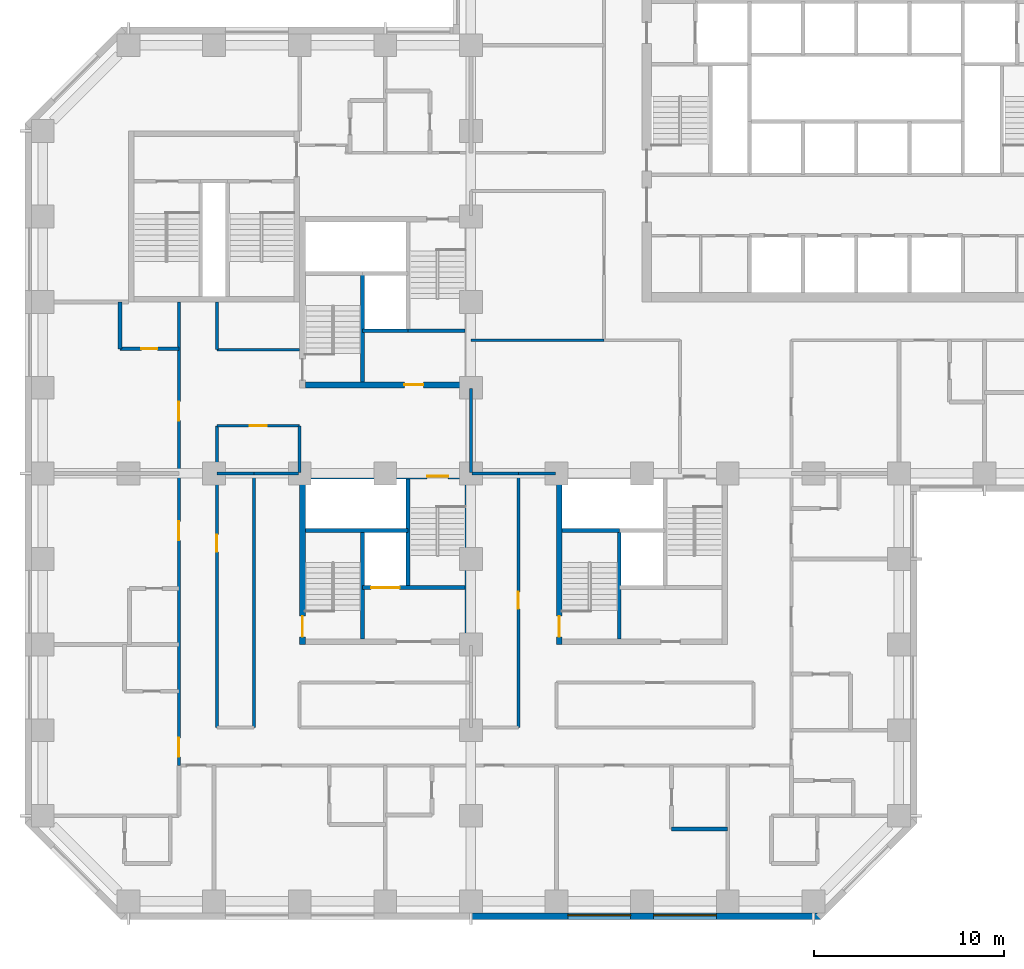
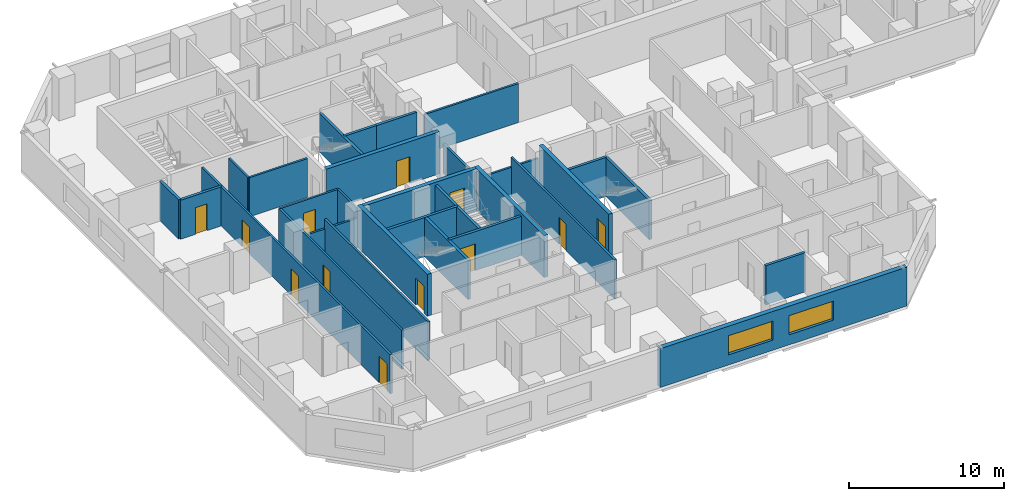
# One storey, part 4 of 13: 32 walls, 12 doors, 2 windows, 14 openings.
"""IFC4 building model written with IfcOpenShell, lengths in metres."""

from ifc_helpers import new_model, si_unit, direction, frame, frame_2d, origin, place, context, subcontext, project, spatial, rectangle, extrude, material, layer, layer_set, constituent, constituent_set, type_object, element, fill, save


model = new_model("IFC4")

# Units and contexts
model_context = context("Model", 3, precision=1e-05, world=origin(), true_north=direction((0.0, 1.0)))
body_context = subcontext(model_context, "Body", "Model", "MODEL_VIEW")
ifc_project = project(units=[si_unit("LENGTHUNIT", "METRE"), si_unit("AREAUNIT", "SQUARE_METRE"), si_unit("VOLUMEUNIT", "CUBIC_METRE"), si_unit("PLANEANGLEUNIT", "RADIAN"), si_unit("MASSUNIT", "GRAM", prefix="KILO")], contexts=[model_context])

# Site, building, storey
site_placement = place(None, origin())
site = spatial("IfcSite", under=ifc_project, at=site_placement, CompositionType="ELEMENT")
building_placement = place(site_placement, origin())
building = spatial("IfcBuilding", under=site, at=building_placement, Name="Quoin Convention Tower", CompositionType="ELEMENT")
storey_placement = place(building_placement, frame((0.0, 0.0, 62.699951171875)))
storey = spatial("IfcBuildingStorey", under=building, at=storey_placement, Name="L16", CompositionType="ELEMENT", Elevation=62.699951171875)

# Wall, openings, windows
ifc_material_1 = material(Name="Brick masonry", Category="masonry")
ifc_layer_1 = layer(ifc_material_1, 0.35009765625)
ifc_layer_set_1 = layer_set([ifc_layer_1], Name="Brick masonry")
wall_type_1 = type_object("IfcWallType", Name="Brick facade wall", PredefinedType="STANDARD", material=ifc_layer_set_1)
wall_1_placement = place(storey_placement, frame((36.0, 17.22509765625, 0.0), z_axis=(0.0, 0.0, 1.0), x_axis=(1.0, 0.0, 0.0)))
wall_1 = element("IfcWall", 1, at=wall_1_placement, inside=storey, type_object=wall_type_1, Name="fw-L16-36000_18000", PredefinedType="STANDARD", context=body_context, shape_type="SweptSolid", body=[
    extrude(rectangle(XDim=18.3935546875, YDim=0.35009765625, at=frame_2d((9.19677734375, 0.0))), origin(), (0.0, 0.0, 1.0), 3.054931640625),
])
opening_1_placement = place(wall_1_placement, frame((5.10009765625, 0.0, 0.800048828125)))
opening_1 = element("IfcOpeningElement", 2, at=opening_1_placement, cuts=wall_1, Name="Opening W-01", PredefinedType="OPENING", context=body_context, shape_type="SweptSolid", body=[
    extrude(rectangle(XDim=3.300048828125, YDim=1.5, at=frame_2d((1.64990234375, 0.75))), frame((0.0, 0.18505859375, 0.0), z_axis=(0.0, -1.0, 0.0), x_axis=(1.0, 0.0, 0.0)), (0.0, 0.0, 1.0), 0.3701171875),
])
opening_2_placement = place(wall_1_placement, frame((9.60009765625, 0.0, 0.800048828125)))
opening_2 = element("IfcOpeningElement", 3, at=opening_2_placement, cuts=wall_1, Name="Opening W-01", PredefinedType="OPENING", context=body_context, shape_type="SweptSolid", body=[
    extrude(rectangle(XDim=3.300048828125, YDim=1.5, at=frame_2d((1.64990234375, 0.75))), frame((0.0, 0.18505859375, 0.0), z_axis=(0.0, -1.0, 0.0), x_axis=(1.0, 0.0, 0.0)), (0.0, 0.0, 1.0), 0.3701171875),
])
ifc_material_2 = material(Name="Aluminium", Category="aluminium")
ifc_constituent_1 = constituent(ifc_material_2, Name="Frame")
ifc_material_3 = material(Name="Insulated glass", Category="glass")
ifc_constituent_2 = constituent(ifc_material_3, Name="Glazing")
ifc_constituent_set = constituent_set(constituents=[ifc_constituent_1, ifc_constituent_2], Name="Aluminium")
window_type = type_object("IfcWindowType", Name="Hotel strip window", PartitioningType="DOUBLE_PANEL_VERTICAL", PredefinedType="WINDOW", material=ifc_constituent_set)
window_1_placement = place(opening_1_placement, origin())
window_1 = element("IfcWindow", 4, at=window_1_placement, inside=storey, type_object=window_type, Name="win-L16-42750_17225", OverallHeight=1.5, OverallWidth=3.300048828125, PartitioningType="SINGLE_PANEL", PredefinedType="WINDOW", context=body_context, shape_type="SweptSolid", body=[
    extrude(rectangle(XDim=3.300048828125, YDim=1.5, at=frame_2d((1.64990234375, 0.75))), frame((0.0, 0.0849609375, 0.0), z_axis=(0.0, -1.0, 0.0), x_axis=(1.0, 0.0, 0.0)), (0.0, 0.0, 1.0), 0.06005859375),
])
fill(opening_1, window_1)
window_2_placement = place(opening_2_placement, origin())
window_2 = element("IfcWindow", 5, at=window_2_placement, inside=storey, type_object=window_type, Name="win-L16-47250_17225", OverallHeight=1.5, OverallWidth=3.300048828125, PartitioningType="SINGLE_PANEL", PredefinedType="WINDOW", context=body_context, shape_type="SweptSolid", body=[
    extrude(rectangle(XDim=3.300048828125, YDim=1.5, at=frame_2d((1.64990234375, 0.75))), frame((0.0, 0.0849609375, 0.0), z_axis=(0.0, -1.0, 0.0), x_axis=(1.0, 0.0, 0.0)), (0.0, 0.0, 1.0), 0.06005859375),
])
fill(opening_2, window_2)

# Walls
ifc_material_4 = material(Name="Concrete C50", Category="concrete")
ifc_layer_2 = layer(ifc_material_4, 0.199951171875)
ifc_layer_set_2 = layer_set([ifc_layer_2], Name="Concrete C50")
wall_type_2 = type_object("IfcWallType", Name="Core shaft wall", PredefinedType="SOLIDWALL", material=ifc_layer_set_2)
wall_2_placement = place(storey_placement, frame((30.300048828125, 48.0, 0.0), z_axis=(0.0, 0.0, 1.0), x_axis=(1.0, 0.0, 0.0)))
element("IfcWall", 6, at=wall_2_placement, inside=storey, type_object=wall_type_2, Name="cr-P2-L16-h3000_3300", PredefinedType="SOLIDWALL", context=body_context, shape_type="SweptSolid", body=[
    extrude(rectangle(XDim=2.39990234375, YDim=0.199951171875, at=frame_2d((1.199951171875, 0.0))), origin(), (0.0, 0.0, 1.0), 3.080078125),
])
wall_3_placement = place(storey_placement, frame((32.699951171875, 48.0, 0.0), z_axis=(0.0, 0.0, 1.0), x_axis=(1.0, 0.0, 0.0)))
element("IfcWall", 7, at=wall_3_placement, inside=storey, type_object=wall_type_2, Name="cr-P2-L16-h3000_5700", PredefinedType="SOLIDWALL", context=body_context, shape_type="SweptSolid", body=[
    extrude(rectangle(XDim=3.0, YDim=0.199951171875, at=frame_2d((1.5, 0.0))), origin(), (0.0, 0.0, 1.0), 3.080078125),
])
wall_4_placement = place(storey_placement, frame((30.300048828125, 45.300048828125, 0.0), z_axis=(0.0, 0.0, 1.0), x_axis=(0.0, 1.0, 0.0)))
element("IfcWall", 8, at=wall_4_placement, inside=storey, type_object=wall_type_2, Name="cr-P2-L16-v3300_300", PredefinedType="SOLIDWALL", context=body_context, shape_type="SweptSolid", body=[
    extrude(rectangle(XDim=5.699951171875, YDim=0.199951171875, at=frame_2d((2.85009765625, 0.0))), origin(), (0.0, 0.0, 1.0), 3.080078125),
])
wall_5_placement = place(storey_placement, frame((40.800048828125, 37.5, 0.0), z_axis=(0.0, 0.0, 1.0), x_axis=(1.0, 0.0, 0.0)))
element("IfcWall", 9, at=wall_5_placement, inside=storey, type_object=wall_type_2, Name="cr-P3-L16-h6000_300", PredefinedType="SOLIDWALL", context=body_context, shape_type="SweptSolid", body=[
    extrude(rectangle(XDim=3.0, YDim=0.199951171875, at=frame_2d((1.5, 0.0))), origin(), (0.0, 0.0, 1.0), 3.080078125),
])
wall_6_placement = place(storey_placement, frame((43.800048828125, 31.800048828125, 0.0), z_axis=(0.0, 0.0, 1.0), x_axis=(0.0, 1.0, 0.0)))
element("IfcWall", 10, at=wall_6_placement, inside=storey, type_object=wall_type_2, Name="cr-P3-L16-v3300_300", PredefinedType="SOLIDWALL", context=body_context, shape_type="SweptSolid", body=[
    extrude(rectangle(XDim=5.699951171875, YDim=0.199951171875, at=frame_2d((2.85009765625, 0.0))), origin(), (0.0, 0.0, 1.0), 3.080078125),
])

# Wall, opening, door
wall_7_placement = place(storey_placement, frame((30.300048828125, 34.5, 0.0), z_axis=(0.0, 0.0, 1.0), x_axis=(1.0, 0.0, 0.0)))
wall_7 = element("IfcWall", 11, at=wall_7_placement, inside=storey, type_object=wall_type_2, Name="cr-P4-L16-h3000_3300", PredefinedType="SOLIDWALL", context=body_context, shape_type="SweptSolid", body=[
    extrude(rectangle(XDim=5.39990234375, YDim=0.199951171875, at=frame_2d((2.699951171875, 0.0))), origin(), (0.0, 0.0, 1.0), 3.080078125),
])
opening_3_placement = place(wall_7_placement, frame((0.449951171875, 0.0, 0.0)))
opening_3 = element("IfcOpeningElement", 12, at=opening_3_placement, cuts=wall_7, Name="Opening LDGL1", PredefinedType="OPENING", context=body_context, shape_type="SweptSolid", body=[
    extrude(rectangle(XDim=1.5, YDim=2.10009765625, at=frame_2d((0.75, 1.050048828125))), frame((0.0, 0.10986328125, 0.0), z_axis=(0.0, -1.0, 0.0), x_axis=(1.0, 0.0, 0.0)), (0.0, 0.0, 1.0), 0.219970703125),
])
ifc_material_5 = material(Name="Steel door leaf", Category="steel")
door_type_1 = type_object("IfcDoorType", Name="Lift landing door 1500 x 2100", OperationType="DOUBLE_DOOR_SLIDING", PredefinedType="DOOR", material=ifc_material_5)
door_1_placement = place(opening_3_placement, origin())
door_1 = element("IfcDoor", 13, at=door_1_placement, inside=storey, type_object=door_type_1, Name="cd-P4-L16-CEN-R2-LDGL1", OperationType="DOUBLE_DOOR_SLIDING", OverallHeight=2.10009765625, OverallWidth=1.5, PredefinedType="DOOR", context=body_context, shape_type="SweptSolid", body=[
    extrude(rectangle(XDim=1.5, YDim=2.10009765625, at=frame_2d((0.75, 1.050048828125))), frame((0.0, 0.02490234375, 0.0), z_axis=(0.0, -1.0, 0.0), x_axis=(1.0, 0.0, 0.0)), (0.0, 0.0, 1.0), 0.050048828125),
])
fill(opening_3, door_1)

# Walls
wall_8_placement = place(storey_placement, frame((27.300048828125, 37.5, 0.0), z_axis=(0.0, 0.0, 1.0), x_axis=(1.0, 0.0, 0.0)))
element("IfcWall", 14, at=wall_8_placement, inside=storey, type_object=wall_type_2, Name="cr-P4-L16-h6000_300", PredefinedType="SOLIDWALL", context=body_context, shape_type="SweptSolid", body=[
    extrude(rectangle(XDim=5.39990234375, YDim=0.199951171875, at=frame_2d((2.699951171875, 0.0))), origin(), (0.0, 0.0, 1.0), 3.080078125),
])
for number, where, z_axis, x_axis, name in (
    (15, (30.300048828125, 31.800048828125, 0.0), (0.0, 0.0, 1.0), (0.0, 1.0, 0.0), "cr-P4-L16-v3300_300"),
    (16, (32.699951171875, 34.5, 0.0), (0.0, 0.0, 1.0), (0.0, 1.0, 0.0), "cr-P4-L16-v5700_3000"),
):
    element("IfcWall", number, at=place(storey_placement, frame(where, z_axis=z_axis, x_axis=x_axis)), inside=storey, type_object=wall_type_2, Name=name, PredefinedType="SOLIDWALL", context=body_context, shape_type="SweptSolid", body=[
        extrude(rectangle(XDim=5.699951171875, YDim=0.199951171875, at=frame_2d((2.85009765625, 0.0))), origin(), (0.0, 0.0, 1.0), 3.080078125),
    ])

# Wall, opening, door
ifc_material_6 = material(Name="Concrete C80", Category="concrete")
ifc_layer_3 = layer(ifc_material_6, 0.300048828125)
ifc_layer_set_3 = layer_set([ifc_layer_3], Name="Concrete C80")
wall_type_3 = type_object("IfcWallType", Name="RC CORE WALL 300 C80", PredefinedType="SHEAR", material=ifc_layer_set_3)
wall_9_placement = place(storey_placement, frame((27.300048828125, 45.14990234375, 0.0), z_axis=(0.0, 0.0, 1.0), x_axis=(1.0, 0.0, 0.0)))
wall_9 = element("IfcWall", 17, at=wall_9_placement, inside=storey, type_object=wall_type_3, Name="cwl-P2-L16-S", PredefinedType="SHEAR", context=body_context, shape_type="SweptSolid", body=[
    extrude(rectangle(XDim=8.39990234375, YDim=0.300048828125, at=frame_2d((4.199951171875, 0.0))), origin(), (0.0, 0.0, 1.0), 3.300048828125),
])
opening_4_placement = place(wall_9_placement, frame((5.199951171875, 0.0, 0.0)))
opening_4 = element("IfcOpeningElement", 18, at=opening_4_placement, cuts=wall_9, Name="Opening DCV0-60", PredefinedType="OPENING", context=body_context, shape_type="SweptSolid", body=[
    extrude(rectangle(XDim=1.0, YDim=2.10009765625, at=frame_2d((0.5, 1.050048828125))), frame((0.0, 0.159912109375, 0.0), z_axis=(0.0, -1.0, 0.0), x_axis=(1.0, 0.0, 0.0)), (0.0, 0.0, 1.0), 0.320068359375),
])
door_type_2 = type_object("IfcDoorType", Name="Service door 1000 x 2100", OperationType="SINGLE_SWING_LEFT", PredefinedType="DOOR", material=ifc_material_5)
door_2_placement = place(opening_4_placement, origin())
door_2 = element("IfcDoor", 19, at=door_2_placement, inside=storey, type_object=door_type_2, Name="cd-P2-L16-R2-S", OperationType="SINGLE_SWING_LEFT", OverallHeight=2.10009765625, OverallWidth=1.0, PredefinedType="DOOR", context=body_context, shape_type="SweptSolid", body=[
    extrude(rectangle(XDim=1.0, YDim=2.10009765625, at=frame_2d((0.5, 1.050048828125))), frame((0.0, 0.02490234375, 0.0), z_axis=(0.0, -1.0, 0.0), x_axis=(1.0, 0.0, 0.0)), (0.0, 0.0, 1.0), 0.050048828125),
])
fill(opening_4, door_2)

wall_10_placement = place(storey_placement, frame((40.64990234375, 31.5, 0.0), z_axis=(0.0, 0.0, 1.0), x_axis=(0.0, 1.0, 0.0)))
wall_10 = element("IfcWall", 20, at=wall_10_placement, inside=storey, type_object=wall_type_3, Name="cwl-P3-L16-W", PredefinedType="SHEAR", context=body_context, shape_type="SweptSolid", body=[
    extrude(rectangle(XDim=9.0, YDim=0.300048828125, at=frame_2d((4.5, 0.0))), origin(), (0.0, 0.0, 1.0), 3.300048828125),
])
opening_5_placement = place(wall_10_placement, frame((0.39990234375, 0.0, 0.0)))
opening_5 = element("IfcOpeningElement", 21, at=opening_5_placement, cuts=wall_10, Name="Opening SD5", PredefinedType="OPENING", context=body_context, shape_type="SweptSolid", body=[
    extrude(rectangle(XDim=1.10009765625, YDim=2.10009765625, at=frame_2d((0.550048828125, 1.050048828125))), frame((0.0, 0.159912109375, 0.0), z_axis=(0.0, -1.0, 0.0), x_axis=(1.0, 0.0, 0.0)), (0.0, 0.0, 1.0), 0.320068359375),
])
door_type_3 = type_object("IfcDoorType", Name="Stair door 1100 x 2100", OperationType="SINGLE_SWING_RIGHT", PredefinedType="DOOR", material=ifc_material_5)
door_3_placement = place(opening_5_placement, frame((1.10009765625, 0.0, 0.0), z_axis=(0.0, 0.0, 1.0), x_axis=(-1.0, 0.0, 0.0)))
door_3 = element("IfcDoor", 22, at=door_3_placement, inside=storey, type_object=door_type_3, Name="cd-P3-L16-SA-W", OperationType="SINGLE_SWING_RIGHT", OverallHeight=2.10009765625, OverallWidth=1.10009765625, PredefinedType="DOOR", context=body_context, shape_type="SweptSolid", body=[
    extrude(rectangle(XDim=1.10009765625, YDim=2.10009765625, at=frame_2d((0.550048828125, 1.050048828125))), frame((0.0, 0.02490234375, 0.0), z_axis=(0.0, -1.0, 0.0), x_axis=(1.0, 0.0, 0.0)), (0.0, 0.0, 1.0), 0.050048828125),
])
fill(opening_5, door_3)

wall_11_placement = place(storey_placement, frame((27.300048828125, 40.35009765625, 0.0), z_axis=(0.0, 0.0, 1.0), x_axis=(1.0, 0.0, 0.0)))
wall_11 = element("IfcWall", 23, at=wall_11_placement, inside=storey, type_object=wall_type_3, Name="cwl-P4-L16-N", PredefinedType="SHEAR", context=body_context, shape_type="SweptSolid", body=[
    extrude(rectangle(XDim=8.39990234375, YDim=0.300048828125, at=frame_2d((4.199951171875, 0.0))), origin(), (0.0, 0.0, 1.0), 3.300048828125),
])
opening_6_placement = place(wall_11_placement, frame((6.39990234375, 0.0, 0.0)))
opening_6 = element("IfcOpeningElement", 24, at=opening_6_placement, cuts=wall_11, Name="Opening SD8", PredefinedType="OPENING", context=body_context, shape_type="SweptSolid", body=[
    extrude(rectangle(XDim=1.10009765625, YDim=2.10009765625, at=frame_2d((0.550048828125, 1.050048828125))), frame((0.0, 0.159912109375, 0.0), z_axis=(0.0, -1.0, 0.0), x_axis=(1.0, 0.0, 0.0)), (0.0, 0.0, 1.0), 0.320068359375),
])
door_4_placement = place(opening_6_placement, frame((1.10009765625, 0.0, 0.0), z_axis=(0.0, 0.0, 1.0), x_axis=(-1.0, 0.0, 0.0)))
door_4 = element("IfcDoor", 25, at=door_4_placement, inside=storey, type_object=door_type_3, Name="cd-P4-L16-SB-N", OperationType="SINGLE_SWING_LEFT", OverallHeight=2.10009765625, OverallWidth=1.10009765625, PredefinedType="DOOR", context=body_context, shape_type="SweptSolid", body=[
    extrude(rectangle(XDim=1.10009765625, YDim=2.10009765625, at=frame_2d((0.550048828125, 1.050048828125))), frame((0.0, 0.02490234375, 0.0), z_axis=(0.0, -1.0, 0.0), x_axis=(1.0, 0.0, 0.0)), (0.0, 0.0, 1.0), 0.050048828125),
])
fill(opening_6, door_4)

wall_12_placement = place(storey_placement, frame((27.14990234375, 31.5, 0.0), z_axis=(0.0, 0.0, 1.0), x_axis=(0.0, 1.0, 0.0)))
wall_12 = element("IfcWall", 26, at=wall_12_placement, inside=storey, type_object=wall_type_3, Name="cwl-P4-L16-W", PredefinedType="SHEAR", context=body_context, shape_type="SweptSolid", body=[
    extrude(rectangle(XDim=9.0, YDim=0.300048828125, at=frame_2d((4.5, 0.0))), origin(), (0.0, 0.0, 1.0), 3.300048828125),
])
opening_7_placement = place(wall_12_placement, frame((0.39990234375, 0.0, 0.0)))
opening_7 = element("IfcOpeningElement", 27, at=opening_7_placement, cuts=wall_12, Name="Opening SD7", PredefinedType="OPENING", context=body_context, shape_type="SweptSolid", body=[
    extrude(rectangle(XDim=1.10009765625, YDim=2.10009765625, at=frame_2d((0.550048828125, 1.050048828125))), frame((0.0, 0.159912109375, 0.0), z_axis=(0.0, -1.0, 0.0), x_axis=(1.0, 0.0, 0.0)), (0.0, 0.0, 1.0), 0.320068359375),
])
door_5_placement = place(opening_7_placement, frame((1.10009765625, 0.0, 0.0), z_axis=(0.0, 0.0, 1.0), x_axis=(-1.0, 0.0, 0.0)))
door_5 = element("IfcDoor", 28, at=door_5_placement, inside=storey, type_object=door_type_3, Name="cd-P4-L16-SA-W", OperationType="SINGLE_SWING_RIGHT", OverallHeight=2.10009765625, OverallWidth=1.10009765625, PredefinedType="DOOR", context=body_context, shape_type="SweptSolid", body=[
    extrude(rectangle(XDim=1.10009765625, YDim=2.10009765625, at=frame_2d((0.550048828125, 1.050048828125))), frame((0.0, 0.02490234375, 0.0), z_axis=(0.0, -1.0, 0.0), x_axis=(1.0, 0.0, 0.0)), (0.0, 0.0, 1.0), 0.050048828125),
])
fill(opening_7, door_5)

# Walls
wall_13_placement = place(storey_placement, frame((35.85009765625, 31.5, 0.0), z_axis=(0.0, 0.0, 1.0), x_axis=(0.0, 1.0, 0.0)))
element("IfcWall", 29, at=wall_13_placement, inside=storey, type_object=wall_type_3, Name="cwl-P4-L16-E", PredefinedType="SHEAR", context=body_context, shape_type="SweptSolid", body=[
    extrude(rectangle(XDim=9.0, YDim=0.300048828125, at=frame_2d((4.5, 0.0))), origin(), (0.0, 0.0, 1.0), 3.300048828125),
])
ifc_layer_4 = layer(ifc_material_4, 0.199951171875)
ifc_layer_set_4 = layer_set([ifc_layer_4], Name="Concrete C50")
wall_type_4 = type_object("IfcWallType", Name="RC party wall", PredefinedType="SOLIDWALL", material=ifc_layer_set_4)
wall_14_placement = place(storey_placement, frame((46.550048828125, 21.800048828125, 0.0), z_axis=(0.0, 0.0, 1.0), x_axis=(1.0, 0.0, 0.0)))
element("IfcWall", 30, at=wall_14_placement, inside=storey, type_object=wall_type_4, Name="pw-L16-049", PredefinedType="SOLIDWALL", context=body_context, shape_type="SweptSolid", body=[
    extrude(rectangle(XDim=2.949951171875, YDim=0.199951171875, at=frame_2d((1.47509765625, 0.0))), origin(), (0.0, 0.0, 1.0), 3.080078125),
])

# Wall, opening, door
wall_15_placement = place(storey_placement, frame((17.550048828125, 47.050048828125, 0.0), z_axis=(0.0, 0.0, 1.0), x_axis=(1.0, 0.0, 0.0)))
wall_15 = element("IfcWall", 31, at=wall_15_placement, inside=storey, type_object=wall_type_4, Name="pw-L16-086", PredefinedType="SOLIDWALL", context=body_context, shape_type="SweptSolid", body=[
    extrude(rectangle(XDim=3.099853515625, YDim=0.199951171875, at=frame_2d((1.5498046875, 0.0))), origin(), (0.0, 0.0, 1.0), 3.080078125),
])
opening_8_placement = place(wall_15_placement, frame((1.125, 0.0, 0.0)))
opening_8 = element("IfcOpeningElement", 32, at=opening_8_placement, cuts=wall_15, Name="Opening DHOTEL-E-50", PredefinedType="OPENING", context=body_context, shape_type="SweptSolid", body=[
    extrude(rectangle(XDim=0.85009765625, YDim=2.10009765625, at=frame_2d((0.425048828125, 1.050048828125))), frame((0.0, 0.10986328125, 0.0), z_axis=(0.0, -1.0, 0.0), x_axis=(1.0, 0.0, 0.0)), (0.0, 0.0, 1.0), 0.219970703125),
])
door_type_4 = type_object("IfcDoorType", Name="Bathroom door", OperationType="SINGLE_SWING_LEFT", PredefinedType="DOOR", material=ifc_material_5)
door_6_placement = place(opening_8_placement, frame((0.85009765625, 0.0, 0.0), z_axis=(0.0, 0.0, 1.0), x_axis=(-1.0, 0.0, 0.0)))
door_6 = element("IfcDoor", 33, at=door_6_placement, inside=storey, type_object=door_type_4, Name="dr-L16-012", OperationType="SINGLE_SWING_LEFT", OverallHeight=2.10009765625, OverallWidth=0.85009765625, PredefinedType="DOOR", context=body_context, shape_type="SweptSolid", body=[
    extrude(rectangle(XDim=0.85009765625, YDim=2.10009765625, at=frame_2d((0.425048828125, 1.050048828125))), frame((0.0, 0.02490234375, 0.0), z_axis=(0.0, -1.0, 0.0), x_axis=(1.0, 0.0, 0.0)), (0.0, 0.0, 1.0), 0.050048828125),
])
fill(opening_8, door_6)

# Wall
wall_16_placement = place(storey_placement, frame((17.550048828125, 47.050048828125, 0.0), z_axis=(0.0, 0.0, 1.0), x_axis=(0.0, 1.0, 0.0)))
element("IfcWall", 34, at=wall_16_placement, inside=storey, type_object=wall_type_4, Name="pw-L16-087", PredefinedType="SOLIDWALL", context=body_context, shape_type="SweptSolid", body=[
    extrude(rectangle(XDim=2.449951171875, YDim=0.199951171875, at=frame_2d((1.22509765625, 0.0))), origin(), (0.0, 0.0, 1.0), 3.080078125),
])

# Wall, openings, doors
ifc_material_7 = material(Name="Plasterboard")
ifc_layer_5 = layer(ifc_material_7, 0.012451171875, Name="Finish")
ifc_material_8 = material(Name="Steel stud framing", Category="steel")
ifc_layer_6 = layer(ifc_material_8, 0.125, Name="Structure")
ifc_layer_7 = layer(ifc_material_7, 0.012451171875, Name="Finish")
ifc_layer_set_5 = layer_set([ifc_layer_5, ifc_layer_6, ifc_layer_7], Name="Steel stud framing")
wall_type_5 = type_object("IfcWallType", Name="corridor partition", PredefinedType="PARTITIONING", material=ifc_layer_set_5)
wall_17_placement = place(storey_placement, frame((20.64990234375, 25.14990234375, 0.0), z_axis=(0.0, 0.0, 1.0), x_axis=(0.0, 1.0, 0.0)))
wall_17 = element("IfcWall", 35, at=wall_17_placement, inside=storey, type_object=wall_type_5, Name="pw-L16-006", PredefinedType="PARTITIONING", context=body_context, shape_type="SweptSolid", body=[
    extrude(rectangle(XDim=24.35009765625, YDim=0.14990234375, at=frame_2d((12.175048828125, 0.0))), origin(), (0.0, 0.0, 1.0), 3.080078125),
])
opening_9_placement = place(wall_17_placement, frame((0.447021484375, 0.0, 0.0)))
opening_9 = element("IfcOpeningElement", 36, at=opening_9_placement, cuts=wall_17, Name="Opening DHOTEL-E-06", PredefinedType="OPENING", context=body_context, shape_type="SweptSolid", body=[
    extrude(rectangle(XDim=1.0, YDim=2.10009765625, at=frame_2d((0.5, 1.050048828125))), frame((0.0, 0.0849609375, 0.0), z_axis=(0.0, -1.0, 0.0), x_axis=(1.0, 0.0, 0.0)), (0.0, 0.0, 1.0), 0.169921875),
])
opening_10_placement = place(wall_17_placement, frame((11.824951171875, 0.0, 0.0)))
opening_10 = element("IfcOpeningElement", 37, at=opening_10_placement, cuts=wall_17, Name="Opening DHOTEL-E-07", PredefinedType="OPENING", context=body_context, shape_type="SweptSolid", body=[
    extrude(rectangle(XDim=1.0, YDim=2.10009765625, at=frame_2d((0.5, 1.050048828125))), frame((0.0, 0.0849609375, 0.0), z_axis=(0.0, -1.0, 0.0), x_axis=(1.0, 0.0, 0.0)), (0.0, 0.0, 1.0), 0.169921875),
])
opening_11_placement = place(wall_17_placement, frame((18.125, 0.0, 0.0)))
opening_11 = element("IfcOpeningElement", 38, at=opening_11_placement, cuts=wall_17, Name="Opening DHOTEL-E-08", PredefinedType="OPENING", context=body_context, shape_type="SweptSolid", body=[
    extrude(rectangle(XDim=1.0, YDim=2.10009765625, at=frame_2d((0.5, 1.050048828125))), frame((0.0, 0.0849609375, 0.0), z_axis=(0.0, -1.0, 0.0), x_axis=(1.0, 0.0, 0.0)), (0.0, 0.0, 1.0), 0.169921875),
])
door_type_5 = type_object("IfcDoorType", Name="Hotel room door", OperationType="SINGLE_SWING_LEFT", PredefinedType="DOOR", material=ifc_material_5)
door_7_placement = place(opening_9_placement, origin())
door_7 = element("IfcDoor", 39, at=door_7_placement, inside=storey, type_object=door_type_5, Name="dr-L16-007", OperationType="SINGLE_SWING_LEFT", OverallHeight=2.10009765625, OverallWidth=1.0, PredefinedType="DOOR", context=body_context, shape_type="SweptSolid", body=[
    extrude(rectangle(XDim=1.0, YDim=2.10009765625, at=frame_2d((0.5, 1.050048828125))), frame((0.0, 0.02490234375, 0.0), z_axis=(0.0, -1.0, 0.0), x_axis=(1.0, 0.0, 0.0)), (0.0, 0.0, 1.0), 0.050048828125),
])
fill(opening_9, door_7)
door_8_placement = place(opening_10_placement, origin())
door_8 = element("IfcDoor", 40, at=door_8_placement, inside=storey, type_object=door_type_5, Name="dr-L16-009", OperationType="SINGLE_SWING_RIGHT", OverallHeight=2.10009765625, OverallWidth=1.0, PredefinedType="DOOR", context=body_context, shape_type="SweptSolid", body=[
    extrude(rectangle(XDim=1.0, YDim=2.10009765625, at=frame_2d((0.5, 1.050048828125))), frame((0.0, 0.02490234375, 0.0), z_axis=(0.0, -1.0, 0.0), x_axis=(1.0, 0.0, 0.0)), (0.0, 0.0, 1.0), 0.050048828125),
])
fill(opening_10, door_8)
door_9_placement = place(opening_11_placement, origin())
door_9 = element("IfcDoor", 41, at=door_9_placement, inside=storey, type_object=door_type_5, Name="dr-L16-011", OperationType="SINGLE_SWING_RIGHT", OverallHeight=2.10009765625, OverallWidth=1.0, PredefinedType="DOOR", context=body_context, shape_type="SweptSolid", body=[
    extrude(rectangle(XDim=1.0, YDim=2.10009765625, at=frame_2d((0.5, 1.050048828125))), frame((0.0, 0.02490234375, 0.0), z_axis=(0.0, -1.0, 0.0), x_axis=(1.0, 0.0, 0.0)), (0.0, 0.0, 1.0), 0.050048828125),
])
fill(opening_11, door_9)

# Wall, opening, door
wall_18_placement = place(storey_placement, frame((22.64990234375, 27.14990234375, 0.0), z_axis=(0.0, 0.0, 1.0), x_axis=(0.0, 1.0, 0.0)))
wall_18 = element("IfcWall", 42, at=wall_18_placement, inside=storey, type_object=wall_type_5, Name="pw-L16-009", PredefinedType="PARTITIONING", context=body_context, shape_type="SweptSolid", body=[
    extrude(rectangle(XDim=15.85009765625, YDim=0.14990234375, at=frame_2d((7.925048828125, 0.0))), origin(), (0.0, 0.0, 1.0), 3.080078125),
])
opening_12_placement = place(wall_18_placement, frame((9.22509765625, 0.0, 0.0)))
opening_12 = element("IfcOpeningElement", 43, at=opening_12_placement, cuts=wall_18, Name="Opening DHOTEL-E-13", PredefinedType="OPENING", context=body_context, shape_type="SweptSolid", body=[
    extrude(rectangle(XDim=0.89990234375, YDim=2.10009765625, at=frame_2d((0.449951171875, 1.050048828125))), frame((0.0, 0.0849609375, 0.0), z_axis=(0.0, -1.0, 0.0), x_axis=(1.0, 0.0, 0.0)), (0.0, 0.0, 1.0), 0.169921875),
])
door_type_6 = type_object("IfcDoorType", Name="Service room door", OperationType="SINGLE_SWING_LEFT", PredefinedType="DOOR", material=ifc_material_5)
door_10_placement = place(opening_12_placement, frame((0.89990234375, 0.0, 0.0), z_axis=(0.0, 0.0, 1.0), x_axis=(-1.0, 0.0, 0.0)))
door_10 = element("IfcDoor", 44, at=door_10_placement, inside=storey, type_object=door_type_6, Name="dr-L16-061", OperationType="SINGLE_SWING_LEFT", OverallHeight=2.10009765625, OverallWidth=0.89990234375, PredefinedType="DOOR", context=body_context, shape_type="SweptSolid", body=[
    extrude(rectangle(XDim=0.89990234375, YDim=2.10009765625, at=frame_2d((0.449951171875, 1.050048828125))), frame((0.0, 0.02490234375, 0.0), z_axis=(0.0, -1.0, 0.0), x_axis=(1.0, 0.0, 0.0)), (0.0, 0.0, 1.0), 0.050048828125),
])
fill(opening_12, door_10)

# Wall
wall_19_placement = place(storey_placement, frame((24.60009765625, 27.14990234375, 0.0), z_axis=(0.0, 0.0, 1.0), x_axis=(0.0, 1.0, 0.0)))
element("IfcWall", 45, at=wall_19_placement, inside=storey, type_object=wall_type_5, Name="pw-L16-010", PredefinedType="PARTITIONING", context=body_context, shape_type="SweptSolid", body=[
    extrude(rectangle(XDim=13.35009765625, YDim=0.14990234375, at=frame_2d((6.675048828125, 0.0))), origin(), (0.0, 0.0, 1.0), 3.080078125),
])

# Wall, opening, door
wall_20_placement = place(storey_placement, frame((38.5, 27.14990234375, 0.0), z_axis=(0.0, 0.0, 1.0), x_axis=(0.0, 1.0, 0.0)))
wall_20 = element("IfcWall", 46, at=wall_20_placement, inside=storey, type_object=wall_type_5, Name="pw-L16-013", PredefinedType="PARTITIONING", context=body_context, shape_type="SweptSolid", body=[
    extrude(rectangle(XDim=13.35009765625, YDim=0.14990234375, at=frame_2d((6.675048828125, 0.0))), origin(), (0.0, 0.0, 1.0), 3.080078125),
])
opening_13_placement = place(wall_20_placement, frame((6.22509765625, 0.0, 0.0)))
opening_13 = element("IfcOpeningElement", 47, at=opening_13_placement, cuts=wall_20, Name="Opening DHOTEL-E-14", PredefinedType="OPENING", context=body_context, shape_type="SweptSolid", body=[
    extrude(rectangle(XDim=0.89990234375, YDim=2.10009765625, at=frame_2d((0.449951171875, 1.050048828125))), frame((0.0, 0.0849609375, 0.0), z_axis=(0.0, -1.0, 0.0), x_axis=(1.0, 0.0, 0.0)), (0.0, 0.0, 1.0), 0.169921875),
])
door_type_7 = type_object("IfcDoorType", Name="Single room door", OperationType="SINGLE_SWING_RIGHT", PredefinedType="DOOR", material=ifc_material_5)
door_11_placement = place(opening_13_placement, origin())
door_11 = element("IfcDoor", 48, at=door_11_placement, inside=storey, type_object=door_type_7, Name="dr-L16-063", OperationType="SINGLE_SWING_RIGHT", OverallHeight=2.10009765625, OverallWidth=0.89990234375, PredefinedType="DOOR", context=body_context, shape_type="SweptSolid", body=[
    extrude(rectangle(XDim=0.89990234375, YDim=2.10009765625, at=frame_2d((0.449951171875, 1.050048828125))), frame((0.0, 0.02490234375, 0.0), z_axis=(0.0, -1.0, 0.0), x_axis=(1.0, 0.0, 0.0)), (0.0, 0.0, 1.0), 0.050048828125),
])
fill(opening_13, door_11)

# Wall
wall_21_placement = place(storey_placement, frame((27.0, 40.550048828125, 0.0), z_axis=(0.0, 0.0, 1.0), x_axis=(0.0, 1.0, 0.0)))
element("IfcWall", 49, at=wall_21_placement, inside=storey, type_object=wall_type_5, Name="pw-L16-022", PredefinedType="PARTITIONING", context=body_context, shape_type="SweptSolid", body=[
    extrude(rectangle(XDim=2.449951171875, YDim=0.14990234375, at=frame_2d((1.22509765625, 0.0))), origin(), (0.0, 0.0, 1.0), 3.080078125),
])

# Wall, opening, door
wall_22_placement = place(storey_placement, frame((22.64990234375, 43.0, 0.0), z_axis=(0.0, 0.0, 1.0), x_axis=(1.0, 0.0, 0.0)))
wall_22 = element("IfcWall", 50, at=wall_22_placement, inside=storey, type_object=wall_type_5, Name="pw-L16-025", PredefinedType="PARTITIONING", context=body_context, shape_type="SweptSolid", body=[
    extrude(rectangle(XDim=4.35009765625, YDim=0.14990234375, at=frame_2d((2.175048828125, 0.0))), origin(), (0.0, 0.0, 1.0), 3.080078125),
])
opening_14_placement = place(wall_22_placement, frame((1.72509765625, 0.0, 0.0)))
opening_14 = element("IfcOpeningElement", 51, at=opening_14_placement, cuts=wall_22, Name="Opening DHOTEL-E-18", PredefinedType="OPENING", context=body_context, shape_type="SweptSolid", body=[
    extrude(rectangle(XDim=0.89990234375, YDim=2.10009765625, at=frame_2d((0.449951171875, 1.050048828125))), frame((0.0, 0.0849609375, 0.0), z_axis=(0.0, -1.0, 0.0), x_axis=(1.0, 0.0, 0.0)), (0.0, 0.0, 1.0), 0.169921875),
])
door_type_8 = type_object("IfcDoorType", Name="Toilet door", OperationType="SINGLE_SWING_LEFT", PredefinedType="DOOR", material=ifc_material_5)
door_12_placement = place(opening_14_placement, frame((0.89990234375, 0.0, 0.0), z_axis=(0.0, 0.0, 1.0), x_axis=(-1.0, 0.0, 0.0)))
door_12 = element("IfcDoor", 52, at=door_12_placement, inside=storey, type_object=door_type_8, Name="dr-L16-066", OperationType="SINGLE_SWING_LEFT", OverallHeight=2.10009765625, OverallWidth=0.89990234375, PredefinedType="DOOR", context=body_context, shape_type="SweptSolid", body=[
    extrude(rectangle(XDim=0.89990234375, YDim=2.10009765625, at=frame_2d((0.449951171875, 1.050048828125))), frame((0.0, 0.02490234375, 0.0), z_axis=(0.0, -1.0, 0.0), x_axis=(1.0, 0.0, 0.0)), (0.0, 0.0, 1.0), 0.050048828125),
])
fill(opening_14, door_12)

# Walls
wall_23_placement = place(storey_placement, frame((22.64990234375, 47.0, 0.0), z_axis=(0.0, 0.0, 1.0), x_axis=(1.0, 0.0, 0.0)))
element("IfcWall", 53, at=wall_23_placement, inside=storey, type_object=wall_type_5, Name="pw-L16-026", PredefinedType="PARTITIONING", context=body_context, shape_type="SweptSolid", body=[
    extrude(rectangle(XDim=4.35009765625, YDim=0.14990234375, at=frame_2d((2.175048828125, 0.0))), origin(), (0.0, 0.0, 1.0), 3.080078125),
])
wall_24_placement = place(storey_placement, frame((22.64990234375, 47.0, 0.0), z_axis=(0.0, 0.0, 1.0), x_axis=(0.0, 1.0, 0.0)))
element("IfcWall", 54, at=wall_24_placement, inside=storey, type_object=wall_type_5, Name="pw-L16-027", PredefinedType="PARTITIONING", context=body_context, shape_type="SweptSolid", body=[
    extrude(rectangle(XDim=2.5, YDim=0.14990234375, at=frame_2d((1.25, 0.0))), origin(), (0.0, 0.0, 1.0), 3.080078125),
])
ifc_layer_8 = layer(ifc_material_7, 0.012451171875, Name="Finish")
ifc_layer_9 = layer(ifc_material_8, 0.125, Name="Structure")
ifc_layer_10 = layer(ifc_material_7, 0.012451171875, Name="Finish")
ifc_layer_set_6 = layer_set([ifc_layer_8, ifc_layer_9, ifc_layer_10], Name="Steel stud framing")
wall_type_6 = type_object("IfcWallType", Name="corridor partition under beam 750", PredefinedType="PARTITIONING", material=ifc_layer_set_6)
wall_25_placement = place(storey_placement, frame((24.60009765625, 40.5, 0.0), z_axis=(0.0, 0.0, 1.0), x_axis=(1.0, 0.0, 0.0)))
element("IfcWall", 55, at=wall_25_placement, inside=storey, type_object=wall_type_6, Name="pw-L16-020", PredefinedType="PARTITIONING", context=body_context, shape_type="SweptSolid", body=[
    extrude(rectangle(XDim=2.349853515625, YDim=0.14990234375, at=frame_2d((1.1748046875, 0.0))), origin(), (0.0, 0.0, 1.0), 2.330078125),
])
wall_26_placement = place(storey_placement, frame((38.5, 40.5, 0.0), z_axis=(0.0, 0.0, 1.0), x_axis=(1.0, 0.0, 0.0)))
element("IfcWall", 56, at=wall_26_placement, inside=storey, type_object=wall_type_6, Name="pw-L16-021", PredefinedType="PARTITIONING", context=body_context, shape_type="SweptSolid", body=[
    extrude(rectangle(XDim=1.949951171875, YDim=0.14990234375, at=frame_2d((0.97509765625, 0.0))), origin(), (0.0, 0.0, 1.0), 2.330078125),
])
wall_27_placement = place(storey_placement, frame((36.0, 40.550048828125, 0.0), z_axis=(0.0, 0.0, 1.0), x_axis=(0.0, 1.0, 0.0)))
element("IfcWall", 57, at=wall_27_placement, inside=storey, type_object=wall_type_6, Name="pw-L16-023", PredefinedType="PARTITIONING", context=body_context, shape_type="SweptSolid", body=[
    extrude(rectangle(XDim=4.39990234375, YDim=0.14990234375, at=frame_2d((2.199951171875, 0.0))), origin(), (0.0, 0.0, 1.0), 2.330078125),
])
ifc_layer_11 = layer(ifc_material_7, 0.012451171875, Name="Finish")
ifc_layer_12 = layer(ifc_material_8, 0.125, Name="Structure")
ifc_layer_13 = layer(ifc_material_7, 0.012451171875, Name="Finish")
ifc_layer_set_7 = layer_set([ifc_layer_11, ifc_layer_12, ifc_layer_13], Name="Steel stud framing")
wall_type_7 = type_object("IfcWallType", Name="room partition", PredefinedType="PARTITIONING", material=ifc_layer_set_7)
wall_28_placement = place(storey_placement, frame((36.0, 47.5, 0.0), z_axis=(0.0, 0.0, 1.0), x_axis=(1.0, 0.0, 0.0)))
element("IfcWall", 58, at=wall_28_placement, inside=storey, type_object=wall_type_7, Name="pw-L16-148", PredefinedType="PARTITIONING", context=body_context, shape_type="SweptSolid", body=[
    extrude(rectangle(XDim=7.0, YDim=0.14990234375, at=frame_2d((3.5, 0.0))), origin(), (0.0, 0.0, 1.0), 3.080078125),
])
ifc_layer_14 = layer(ifc_material_7, 0.012451171875, Name="Finish")
ifc_layer_15 = layer(ifc_material_8, 0.125, Name="Structure")
ifc_layer_16 = layer(ifc_material_7, 0.012451171875, Name="Finish")
ifc_layer_set_8 = layer_set([ifc_layer_14, ifc_layer_15, ifc_layer_16], Name="Steel stud framing")
wall_type_8 = type_object("IfcWallType", Name="room partition under beam 750", PredefinedType="PARTITIONING", material=ifc_layer_set_8)
wall_29_placement = place(storey_placement, frame((22.64990234375, 40.5, 0.0), z_axis=(0.0, 0.0, 1.0), x_axis=(1.0, 0.0, 0.0)))
element("IfcWall", 59, at=wall_29_placement, inside=storey, type_object=wall_type_8, Name="pw-L16-144", PredefinedType="PARTITIONING", context=body_context, shape_type="SweptSolid", body=[
    extrude(rectangle(XDim=1.9501953125, YDim=0.14990234375, at=frame_2d((0.97509765625, 0.0))), origin(), (0.0, 0.0, 1.0), 2.330078125),
])
wall_30_placement = place(storey_placement, frame((36.050048828125, 40.5, 0.0), z_axis=(0.0, 0.0, 1.0), x_axis=(1.0, 0.0, 0.0)))
element("IfcWall", 60, at=wall_30_placement, inside=storey, type_object=wall_type_8, Name="pw-L16-145", PredefinedType="PARTITIONING", context=body_context, shape_type="SweptSolid", body=[
    extrude(rectangle(XDim=2.449951171875, YDim=0.14990234375, at=frame_2d((1.22509765625, 0.0))), origin(), (0.0, 0.0, 1.0), 2.330078125),
])

save(model, "model.ifc")
